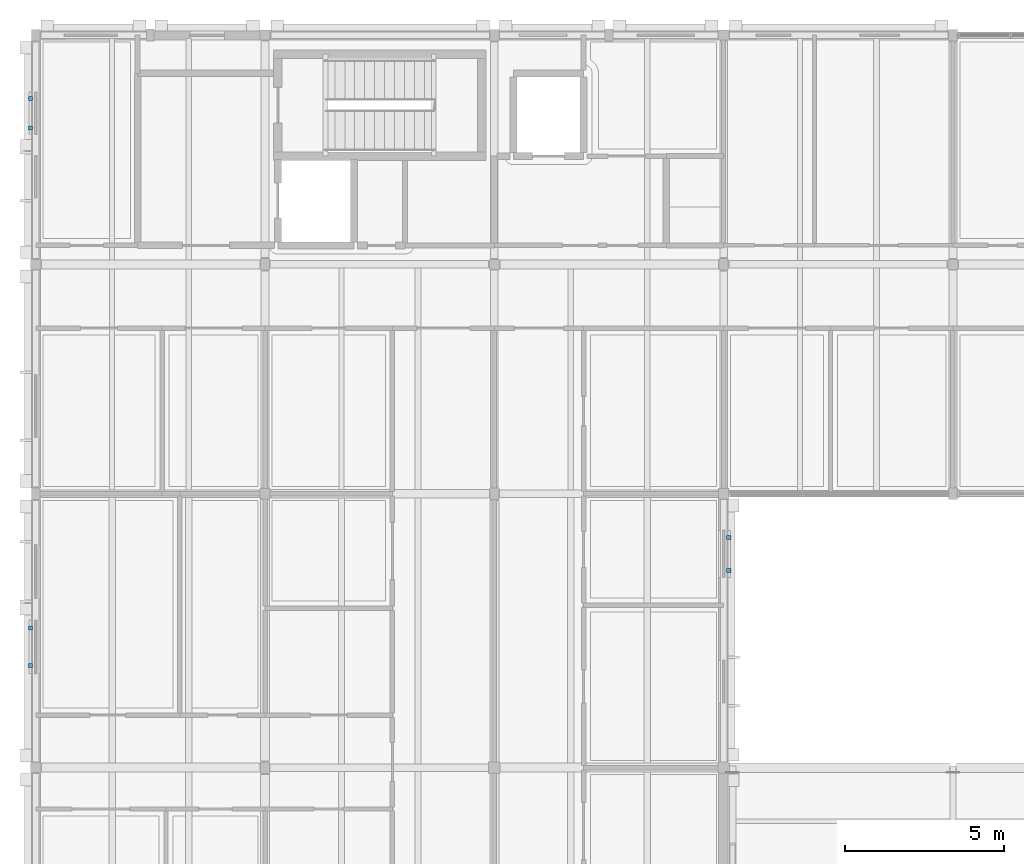
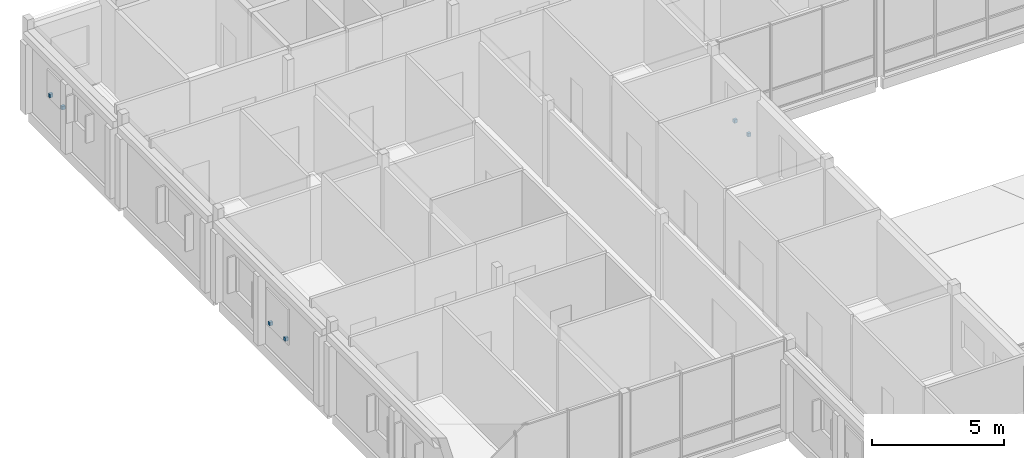
# One storey, part 99 of 115: 6 discrete accessories.
"""IFC4 building model written with IfcOpenShell, lengths in metres."""

from ifc_helpers import new_model, si_unit, direction, frame, origin, origin_2d, place, context, subcontext, project, spatial, rectangle, extrude, material, type_object, element, save


model = new_model("IFC4")

# Units and contexts
model_context = context("Model", 3, precision=1e-05, world=origin(), true_north=direction((0.0, 1.0)))
body_context = subcontext(model_context, "Body", "Model", "MODEL_VIEW")
ifc_project = project(units=[si_unit("LENGTHUNIT", "METRE"), si_unit("AREAUNIT", "SQUARE_METRE"), si_unit("VOLUMEUNIT", "CUBIC_METRE"), si_unit("PLANEANGLEUNIT", "RADIAN"), si_unit("MASSUNIT", "GRAM", prefix="KILO")], contexts=[model_context])

# Site, building, storey
site_placement = place(None, origin())
site = spatial("IfcSite", under=ifc_project, at=site_placement, CompositionType="ELEMENT")
building_placement = place(site_placement, origin())
building = spatial("IfcBuilding", under=site, at=building_placement, Name="Hawrajan Terrace Health Centre", CompositionType="ELEMENT")
storey_placement = place(building_placement, frame((0.0, 0.0, 9.0)))
storey = spatial("IfcBuildingStorey", under=building, at=storey_placement, Name="L02", CompositionType="ELEMENT", Elevation=9.0)

# Discrete accessories
ifc_material = material(Name="Steel S355", Category="steel")
discrete_accessory_type = type_object("IfcDiscreteAccessoryType", Name="FacadeBracket_S355", PredefinedType="BRACKET", material=ifc_material)
for number, where, z_axis, x_axis, name in (
    (1, (4.43505859375, 40.007080078125, 1.1201171875), (0.0, 0.0, 1.0), (0.0, 1.0, 0.0), "Roshan support bracket BRK-L02-139-1"),
    (2, (4.43505859375, 41.18310546875, 1.1201171875), (0.0, 0.0, 1.0), (0.0, 1.0, 0.0), "Roshan support bracket BRK-L02-139-2"),
    (3, (4.43505859375, 56.887939453125, 1.56982421875), (0.0, 0.0, 1.0), (0.0, 1.0, 0.0), "Roshan support bracket BRK-L02-146-1"),
    (4, (4.43505859375, 57.81201171875, 1.56982421875), (0.0, 0.0, 1.0), (0.0, 1.0, 0.0), "Roshan support bracket BRK-L02-146-2"),
    (5, (26.364990234375, 42.991943359375, 1.06982421875), (0.0, 0.0, 1.0), (0.0, 1.0, 0.0), "Roshan support bracket BRK-L02-161-1"),
    (6, (26.364990234375, 44.02783203125, 1.06982421875), (0.0, 0.0, 1.0), (0.0, 1.0, 0.0), "Roshan support bracket BRK-L02-161-2"),
):
    element("IfcDiscreteAccessory", number, at=place(storey_placement, frame(where, z_axis=z_axis, x_axis=x_axis)), inside=storey, type_object=discrete_accessory_type, Name=name, PredefinedType="BRACKET", context=body_context, shape_type="SweptSolid", body=[
        extrude(rectangle(XDim=0.1201171875, YDim=0.139892578125, at=origin_2d()), origin(), (0.0, 0.0, 1.0), 0.159912109375),
    ])

save(model, "model.ifc")
